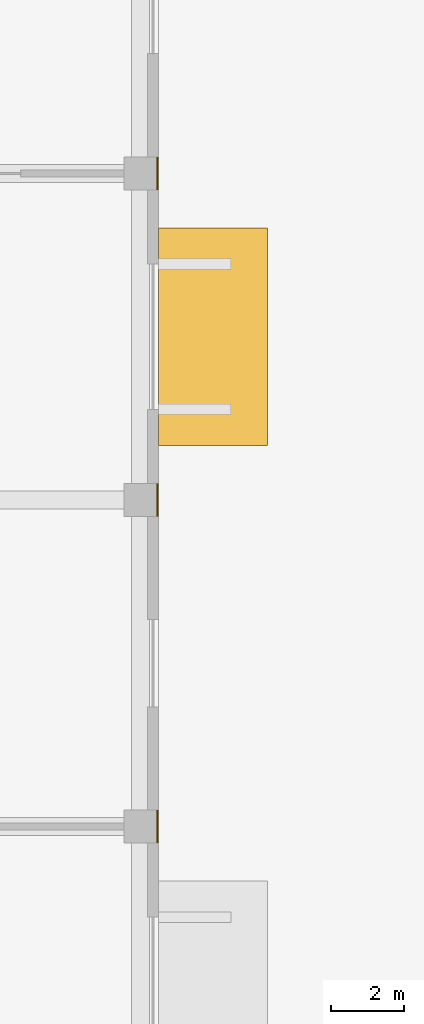
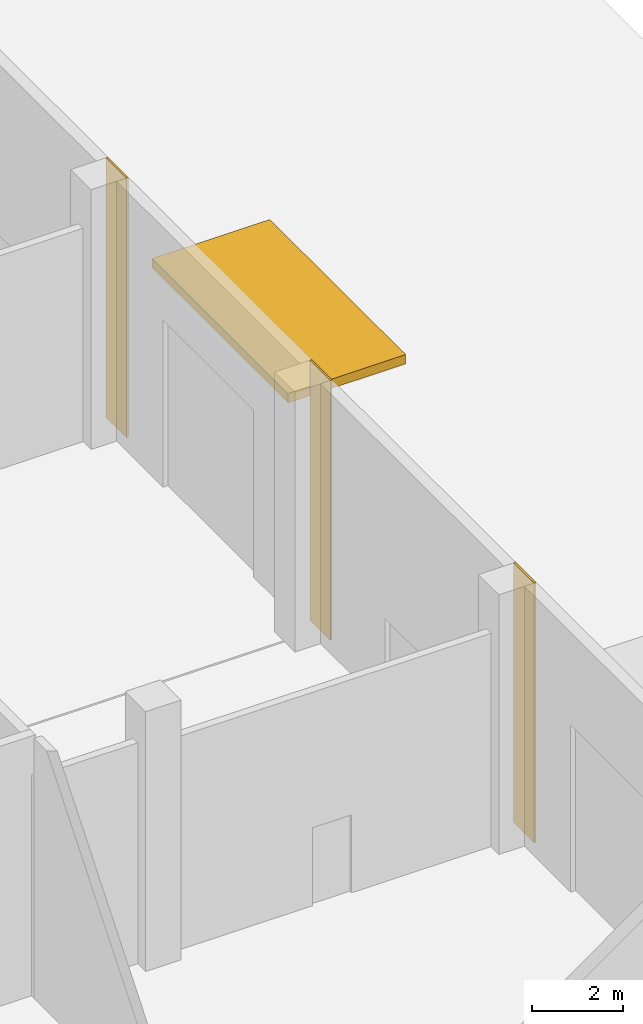
# One storey, part 80 of 92: 3 coverings, 1 shading device.
"""IFC4 building model written with IfcOpenShell, lengths in metres."""

from ifc_helpers import new_model, si_unit, direction, frame, origin, origin_2d, place, context, subcontext, project, spatial, polyline, rectangle, outline, extrude, material, layer, layer_set, type_object, element, save


model = new_model("IFC4")

# Units and contexts
model_context = context("Model", 3, precision=1e-05, world=origin(), true_north=direction((0.0, 1.0)))
body_context = subcontext(model_context, "Body", "Model", "MODEL_VIEW")
ifc_project = project(units=[si_unit("LENGTHUNIT", "METRE"), si_unit("AREAUNIT", "SQUARE_METRE"), si_unit("VOLUMEUNIT", "CUBIC_METRE"), si_unit("PLANEANGLEUNIT", "RADIAN"), si_unit("MASSUNIT", "GRAM", prefix="KILO")], contexts=[model_context])

# Site, building, storey
site_placement = place(None, origin())
site = spatial("IfcSite", under=ifc_project, at=site_placement, CompositionType="ELEMENT")
building_placement = place(site_placement, origin())
building = spatial("IfcBuilding", under=site, at=building_placement, Name="Silverbay Arena", CompositionType="ELEMENT")
storey_placement = place(building_placement, origin())
storey = spatial("IfcBuildingStorey", under=building, at=storey_placement, Name="L00", CompositionType="ELEMENT", Elevation=0.0)

# Coverings
ifc_material_1 = material(Name="Aluminium composite cladding", Category="aluminium")
ifc_layer = layer(ifc_material_1, 0.050048828125)
ifc_layer_set = layer_set([ifc_layer], Name="Aluminium composite cladding")
covering_type = type_object("IfcCoveringType", Name="Column cladding 50", PredefinedType="CLADDING", material=ifc_layer_set)
covering_1_placement = place(storey_placement, origin())
element("IfcCovering", 1, at=covering_1_placement, inside=storey, type_object=covering_type, Name="East column cladding L00 87", PredefinedType="CLADDING", context=body_context, shape_type="SweptSolid", body=[
    extrude(outline(polyline([(234.449951171875, 71.550048828125), (234.5, 71.550048828125), (234.5, 72.449951171875), (234.449951171875, 72.449951171875), (234.449951171875, 71.550048828125)])), origin(), (0.0, 0.0, 1.0), 7.0),
])
covering_2_placement = place(storey_placement, origin())
element("IfcCovering", 2, at=covering_2_placement, inside=storey, type_object=covering_type, Name="East column cladding L00 88", PredefinedType="CLADDING", context=body_context, shape_type="SweptSolid", body=[
    extrude(outline(polyline([(234.449951171875, 80.550048828125), (234.5, 80.550048828125), (234.5, 81.449951171875), (234.449951171875, 81.449951171875), (234.449951171875, 80.550048828125)])), origin(), (0.0, 0.0, 1.0), 7.0),
])
covering_3_placement = place(storey_placement, origin())
element("IfcCovering", 3, at=covering_3_placement, inside=storey, type_object=covering_type, Name="East column cladding L00 89", PredefinedType="CLADDING", context=body_context, shape_type="SweptSolid", body=[
    extrude(outline(polyline([(234.449951171875, 89.550048828125), (234.5, 89.550048828125), (234.5, 90.449951171875), (234.449951171875, 90.449951171875), (234.449951171875, 89.550048828125)])), origin(), (0.0, 0.0, 1.0), 7.0),
])

# Shading device
ifc_material_2 = material(Name="Steel S355", Category="steel")
shading_device_type = type_object("IfcShadingDeviceType", Name="Loading dock canopy 6000 x 3000", PredefinedType="AWNING", material=ifc_material_2)
shading_device_placement = place(storey_placement, frame((236.0, 85.5, 5.199951171875), z_axis=(0.0, 0.0, 1.0), x_axis=(0.0, 1.0, 0.0)))
element("IfcShadingDevice", 4, at=shading_device_placement, inside=storey, type_object=shading_device_type, Name="East loading dock canopy L00 bay 8", PredefinedType="AWNING", context=body_context, shape_type="SweptSolid", body=[
    extrude(rectangle(XDim=6.0, YDim=3.0, at=origin_2d()), origin(), (0.0, 0.0, 1.0), 0.25),
])

save(model, "model.ifc")
